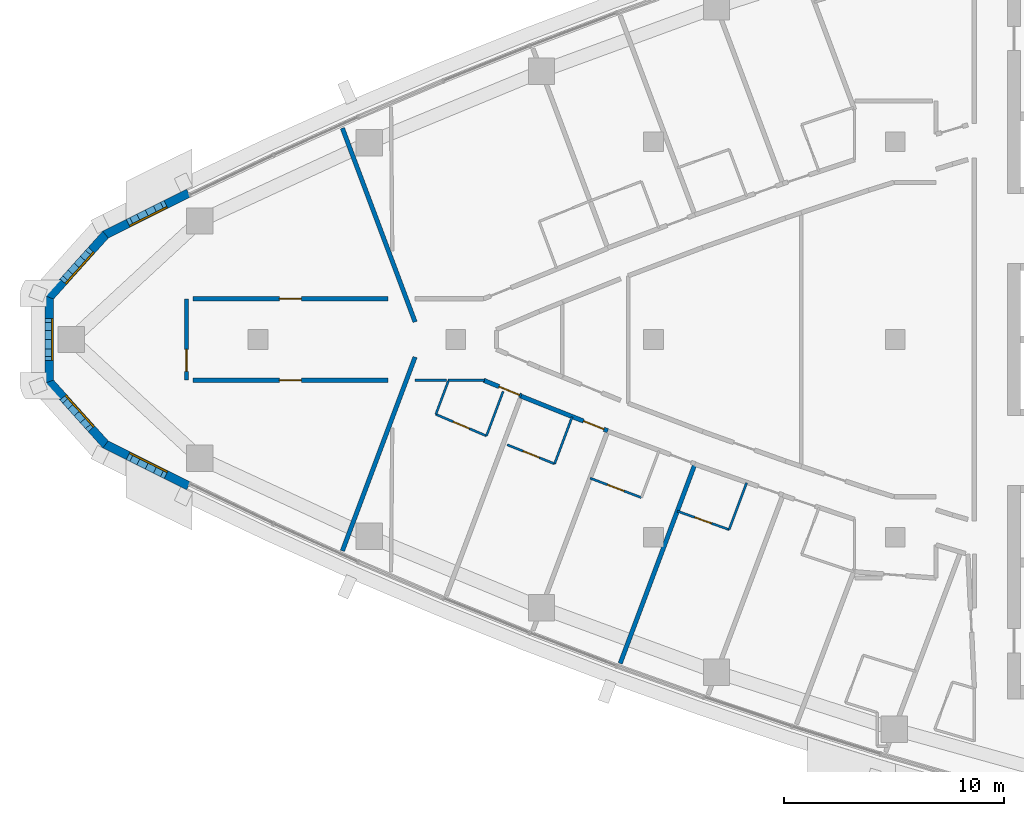
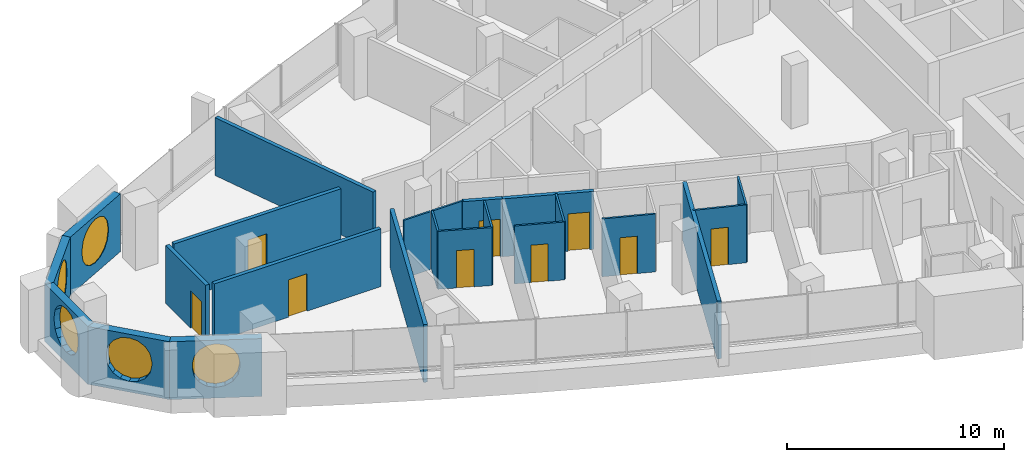
# One storey, part 8 of 16: 23 walls, 9 doors, 5 windows, 14 openings.
"""IFC4 building model written with IfcOpenShell, lengths in metres."""

from ifc_helpers import new_model, si_unit, direction, frame, frame_2d, origin, place, context, subcontext, project, spatial, polyline, rectangle, outline, extrude, material, layer, layer_set, type_object, element, fill, save


model = new_model("IFC4")

# Units and contexts
model_context = context("Model", 3, precision=1e-05, world=origin(), true_north=direction((0.0, 1.0)))
body_context = subcontext(model_context, "Body", "Model", "MODEL_VIEW")
ifc_project = project(units=[si_unit("LENGTHUNIT", "METRE"), si_unit("AREAUNIT", "SQUARE_METRE"), si_unit("VOLUMEUNIT", "CUBIC_METRE"), si_unit("PLANEANGLEUNIT", "RADIAN"), si_unit("MASSUNIT", "GRAM", prefix="KILO")], contexts=[model_context])

# Site, building, storey
site_placement = place(None, origin())
site = spatial("IfcSite", under=ifc_project, at=site_placement, CompositionType="ELEMENT")
building_placement = place(site_placement, origin())
building = spatial("IfcBuilding", under=site, at=building_placement, Name="Ostrand Prow Hotel Tower", CompositionType="ELEMENT")
storey_placement = place(building_placement, frame((0.0, 0.0, 249.199951171875)))
storey = spatial("IfcBuildingStorey", under=building, at=storey_placement, Name="L63", CompositionType="ELEMENT", Elevation=249.199951171875)

# Walls
ifc_material_1 = material(Name="Plasterboard partition")
ifc_layer_1 = layer(ifc_material_1, 0.10009765625)
ifc_layer_set_1 = layer_set([ifc_layer_1], Name="Plasterboard partition")
wall_type_1 = type_object("IfcWallType", Name="Partition 100 bathroom wall", PredefinedType="PARTITIONING", material=ifc_layer_set_1)
wall_1_placement = place(storey_placement, frame((24.09619140625, -3.403564453125, 0.0), z_axis=(0.0, 0.0, 1.0), x_axis=(0.351156192753, 0.936316895229, 0.0)))
element("IfcWall", 1, at=wall_1_placement, inside=storey, type_object=wall_type_1, Name="BATHROOM WALL", PredefinedType="PARTITIONING", context=body_context, shape_type="SweptSolid", body=[
    extrude(rectangle(XDim=1.6337890625, YDim=0.10009765625, at=frame_2d((0.81689453125, 0.0))), origin(), (0.0, 0.0, 1.0), 3.25),
])
wall_2_placement = place(storey_placement, frame((27.15625, -2.36328125, 0.0), z_axis=(0.0, 0.0, 1.0), x_axis=(-0.351086267198, -0.936343117124, 0.0)))
element("IfcWall", 2, at=wall_2_placement, inside=storey, type_object=wall_type_1, Name="BATHROOM WALL", PredefinedType="PARTITIONING", context=body_context, shape_type="SweptSolid", body=[
    extrude(rectangle(XDim=2.1591796875, YDim=0.10009765625, at=frame_2d((1.07958984375, 0.0))), origin(), (0.0, 0.0, 1.0), 3.25),
])

# Wall, opening, door
wall_3_placement = place(storey_placement, frame((26.39794921875, -4.385009765625, 0.0), z_axis=(0.0, 0.0, 1.0), x_axis=(-0.919870178563, 0.392222965404, 0.0)))
wall_3 = element("IfcWall", 3, at=wall_3_placement, inside=storey, type_object=wall_type_1, Name="BATHROOM WALL", PredefinedType="PARTITIONING", context=body_context, shape_type="SweptSolid", body=[
    extrude(rectangle(XDim=2.502197265625, YDim=0.10009765625, at=frame_2d((1.2509765625, 0.0))), origin(), (0.0, 0.0, 1.0), 3.25),
])
opening_1_placement = place(wall_3_placement, frame((0.85009765625, 0.0, 0.0)))
opening_1 = element("IfcOpeningElement", 4, at=opening_1_placement, cuts=wall_3, Name="Opening D2", PredefinedType="OPENING", context=body_context, shape_type="SweptSolid", body=[
    extrude(rectangle(XDim=0.800048828125, YDim=2.10009765625, at=frame_2d((0.39990234375, 1.050048828125))), frame((0.0, 0.06005859375, 0.0), z_axis=(0.0, -1.0, 0.0), x_axis=(1.0, 0.0, 0.0)), (0.0, 0.0, 1.0), 0.1201171875),
])
ifc_material_2 = material(Name="Timber door leaf", Category="wood")
door_type_1 = type_object("IfcDoorType", Name="Bathroom door 800", OperationType="SINGLE_SWING_LEFT", PredefinedType="DOOR", material=ifc_material_2)
door_1_placement = place(opening_1_placement, origin())
door_1 = element("IfcDoor", 5, at=door_1_placement, inside=storey, type_object=door_type_1, Name="DOOR", OperationType="SINGLE_SWING_LEFT", OverallHeight=2.10009765625, OverallWidth=0.800048828125, PredefinedType="DOOR", context=body_context, shape_type="SweptSolid", body=[
    extrude(rectangle(XDim=0.800048828125, YDim=2.10009765625, at=frame_2d((0.39990234375, 1.050048828125))), frame((0.0, 0.02490234375, 0.0), z_axis=(0.0, -1.0, 0.0), x_axis=(1.0, 0.0, 0.0)), (0.0, 0.0, 1.0), 0.050048828125),
])
fill(opening_1, door_1)

# Wall
wall_4_placement = place(storey_placement, frame((30.29638671875, -3.5224609375, 0.0), z_axis=(0.0, 0.0, 1.0), x_axis=(-0.351099944253, -0.936337988734, 0.0)))
element("IfcWall", 6, at=wall_4_placement, inside=storey, type_object=wall_type_1, Name="BATHROOM WALL", PredefinedType="PARTITIONING", context=body_context, shape_type="SweptSolid", body=[
    extrude(rectangle(XDim=2.27734375, YDim=0.10009765625, at=frame_2d((1.138671875, 0.0))), origin(), (0.0, 0.0, 1.0), 3.25),
])

# Wall, opening, door
wall_5_placement = place(storey_placement, frame((29.496826171875, -5.65478515625, 0.0), z_axis=(0.0, 0.0, 1.0), x_axis=(-0.927619412923, 0.373526739028, 0.0)))
wall_5 = element("IfcWall", 7, at=wall_5_placement, inside=storey, type_object=wall_type_1, Name="BATHROOM WALL", PredefinedType="PARTITIONING", context=body_context, shape_type="SweptSolid", body=[
    extrude(rectangle(XDim=2.32421875, YDim=0.10009765625, at=frame_2d((1.162109375, 0.0))), origin(), (0.0, 0.0, 1.0), 3.25),
])
opening_2_placement = place(wall_5_placement, frame((0.75, 0.0, 0.0)))
opening_2 = element("IfcOpeningElement", 8, at=opening_2_placement, cuts=wall_5, Name="Opening D2", PredefinedType="OPENING", context=body_context, shape_type="SweptSolid", body=[
    extrude(rectangle(XDim=0.800048828125, YDim=2.10009765625, at=frame_2d((0.39990234375, 1.050048828125))), frame((0.0, 0.06005859375, 0.0), z_axis=(0.0, -1.0, 0.0), x_axis=(1.0, 0.0, 0.0)), (0.0, 0.0, 1.0), 0.1201171875),
])
door_2_placement = place(opening_2_placement, origin())
door_2 = element("IfcDoor", 9, at=door_2_placement, inside=storey, type_object=door_type_1, Name="DOOR", OperationType="SINGLE_SWING_LEFT", OverallHeight=2.10009765625, OverallWidth=0.800048828125, PredefinedType="DOOR", context=body_context, shape_type="SweptSolid", body=[
    extrude(rectangle(XDim=0.800048828125, YDim=2.10009765625, at=frame_2d((0.39990234375, 1.050048828125))), frame((0.0, 0.02490234375, 0.0), z_axis=(0.0, -1.0, 0.0), x_axis=(1.0, 0.0, 0.0)), (0.0, 0.0, 1.0), 0.050048828125),
])
fill(opening_2, door_2)

wall_6_placement = place(storey_placement, frame((33.44970703125, -7.192626953125, 0.0), z_axis=(0.0, 0.0, 1.0), x_axis=(-0.93495051617, 0.354778145202, 0.0)))
wall_6 = element("IfcWall", 10, at=wall_6_placement, inside=storey, type_object=wall_type_1, Name="BATHROOM WALL", PredefinedType="PARTITIONING", context=body_context, shape_type="SweptSolid", body=[
    extrude(rectangle(XDim=2.49462890625, YDim=0.10009765625, at=frame_2d((1.247314453125, 0.0))), origin(), (0.0, 0.0, 1.0), 3.25),
])
opening_3_placement = place(wall_6_placement, frame((0.85009765625, 0.0, 0.0)))
opening_3 = element("IfcOpeningElement", 11, at=opening_3_placement, cuts=wall_6, Name="Opening D2", PredefinedType="OPENING", context=body_context, shape_type="SweptSolid", body=[
    extrude(rectangle(XDim=0.800048828125, YDim=2.10009765625, at=frame_2d((0.39990234375, 1.050048828125))), frame((0.0, 0.06005859375, 0.0), z_axis=(0.0, -1.0, 0.0), x_axis=(1.0, 0.0, 0.0)), (0.0, 0.0, 1.0), 0.1201171875),
])
door_3_placement = place(opening_3_placement, origin())
door_3 = element("IfcDoor", 12, at=door_3_placement, inside=storey, type_object=door_type_1, Name="DOOR", OperationType="SINGLE_SWING_LEFT", OverallHeight=2.10009765625, OverallWidth=0.800048828125, PredefinedType="DOOR", context=body_context, shape_type="SweptSolid", body=[
    extrude(rectangle(XDim=0.800048828125, YDim=2.10009765625, at=frame_2d((0.39990234375, 1.050048828125))), frame((0.0, 0.02490234375, 0.0), z_axis=(0.0, -1.0, 0.0), x_axis=(1.0, 0.0, 0.0)), (0.0, 0.0, 1.0), 0.050048828125),
])
fill(opening_3, door_3)

# Wall
wall_7_placement = place(storey_placement, frame((38.236083984375, -6.515625, 0.0), z_axis=(0.0, 0.0, 1.0), x_axis=(-0.351229183496, -0.936289517543, 0.0)))
element("IfcWall", 13, at=wall_7_placement, inside=storey, type_object=wall_type_1, Name="BATHROOM WALL", PredefinedType="PARTITIONING", context=body_context, shape_type="SweptSolid", body=[
    extrude(rectangle(XDim=2.277099609375, YDim=0.10009765625, at=frame_2d((1.138671875, 0.0))), origin(), (0.0, 0.0, 1.0), 3.25),
])

# Wall, opening, door
wall_8_placement = place(storey_placement, frame((37.436279296875, -8.64794921875, 0.0), z_axis=(0.0, 0.0, 1.0), x_axis=(-0.941896455552, 0.335903359641, 0.0)))
wall_8 = element("IfcWall", 14, at=wall_8_placement, inside=storey, type_object=wall_type_1, Name="BATHROOM WALL", PredefinedType="PARTITIONING", context=body_context, shape_type="SweptSolid", body=[
    extrude(rectangle(XDim=2.500244140625, YDim=0.10009765625, at=frame_2d((1.25, 0.0))), origin(), (0.0, 0.0, 1.0), 3.25),
])
opening_4_placement = place(wall_8_placement, frame((0.85009765625, 0.0, 0.0)))
opening_4 = element("IfcOpeningElement", 15, at=opening_4_placement, cuts=wall_8, Name="Opening D2", PredefinedType="OPENING", context=body_context, shape_type="SweptSolid", body=[
    extrude(rectangle(XDim=0.800048828125, YDim=2.10009765625, at=frame_2d((0.39990234375, 1.050048828125))), frame((0.0, 0.06005859375, 0.0), z_axis=(0.0, -1.0, 0.0), x_axis=(1.0, 0.0, 0.0)), (0.0, 0.0, 1.0), 0.1201171875),
])
door_4_placement = place(opening_4_placement, origin())
door_4 = element("IfcDoor", 16, at=door_4_placement, inside=storey, type_object=door_type_1, Name="DOOR", OperationType="SINGLE_SWING_LEFT", OverallHeight=2.10009765625, OverallWidth=0.800048828125, PredefinedType="DOOR", context=body_context, shape_type="SweptSolid", body=[
    extrude(rectangle(XDim=0.800048828125, YDim=2.10009765625, at=frame_2d((0.39990234375, 1.050048828125))), frame((0.0, 0.02490234375, 0.0), z_axis=(0.0, -1.0, 0.0), x_axis=(1.0, 0.0, 0.0)), (0.0, 0.0, 1.0), 0.050048828125),
])
fill(opening_4, door_4)

# Walls
wall_9_placement = place(storey_placement, frame((24.64697265625, -1.85498046875, 0.0), z_axis=(0.0, 0.0, 1.0), x_axis=(1.0, 0.0, 0.0)))
element("IfcWall", 17, at=wall_9_placement, inside=storey, type_object=wall_type_1, Name="BATHROOM WALL", PredefinedType="PARTITIONING", context=body_context, shape_type="SweptSolid", body=[
    extrude(rectangle(XDim=1.6689453125, YDim=0.10009765625, at=frame_2d((0.83447265625, 0.0))), origin(), (0.0, 0.0, 1.0), 3.25),
])
wall_10_placement = place(storey_placement, frame((24.572021484375, -1.85009765625, 0.0), z_axis=(0.0, 0.0, 1.0), x_axis=(-1.0, 0.0, 0.0)))
element("IfcWall", 18, at=wall_10_placement, inside=storey, type_object=wall_type_1, Name="BATHROOM WALL", PredefinedType="PARTITIONING", context=body_context, shape_type="SweptSolid", body=[
    extrude(rectangle(XDim=1.422119140625, YDim=0.10009765625, at=frame_2d((0.7109375, 0.0))), origin(), (0.0, 0.0, 1.0), 3.25),
])

# Wall, opening, door
ifc_material_3 = material(Name="Plasterboard partition")
ifc_layer_2 = layer(ifc_material_3, 0.199951171875)
ifc_layer_set_2 = layer_set([ifc_layer_2], Name="Plasterboard partition")
wall_type_2 = type_object("IfcWallType", Name="Partition 200 corridor wall", PredefinedType="PARTITIONING", material=ifc_layer_set_2)
wall_11_placement = place(storey_placement, frame((13.051513671875, 1.85009765625, 0.0), z_axis=(0.0, 0.0, 1.0), x_axis=(1.0, 0.0, 0.0)))
wall_11 = element("IfcWall", 19, at=wall_11_placement, inside=storey, type_object=wall_type_2, Name="CORRIDOR WALL", PredefinedType="PARTITIONING", context=body_context, shape_type="SweptSolid", body=[
    extrude(rectangle(XDim=8.86083984375, YDim=0.199951171875, at=frame_2d((4.430419921875, 0.0))), origin(), (0.0, 0.0, 1.0), 3.25),
])
opening_5_placement = place(wall_11_placement, frame((3.930419921875, 0.0, 0.0)))
opening_5 = element("IfcOpeningElement", 20, at=opening_5_placement, cuts=wall_11, Name="Opening D1", PredefinedType="OPENING", context=body_context, shape_type="SweptSolid", body=[
    extrude(rectangle(XDim=1.0, YDim=2.10009765625, at=frame_2d((0.5, 1.050048828125))), frame((0.0, 0.10986328125, 0.0), z_axis=(0.0, -1.0, 0.0), x_axis=(1.0, 0.0, 0.0)), (0.0, 0.0, 1.0), 0.219970703125),
])
ifc_material_4 = material(Name="Timber door leaf", Category="wood")
door_type_2 = type_object("IfcDoorType", Name="Guest room door 1000", OperationType="SINGLE_SWING_LEFT", PredefinedType="DOOR", material=ifc_material_4)
door_5_placement = place(opening_5_placement, origin())
door_5 = element("IfcDoor", 21, at=door_5_placement, inside=storey, type_object=door_type_2, Name="DOOR", OperationType="SINGLE_SWING_LEFT", OverallHeight=2.10009765625, OverallWidth=1.0, PredefinedType="DOOR", context=body_context, shape_type="SweptSolid", body=[
    extrude(rectangle(XDim=1.0, YDim=2.10009765625, at=frame_2d((0.5, 1.050048828125))), frame((0.0, 0.02490234375, 0.0), z_axis=(0.0, -1.0, 0.0), x_axis=(1.0, 0.0, 0.0)), (0.0, 0.0, 1.0), 0.050048828125),
])
fill(opening_5, door_5)

wall_12_placement = place(storey_placement, frame((13.051513671875, -1.85009765625, 0.0), z_axis=(0.0, 0.0, 1.0), x_axis=(1.0, 0.0, 0.0)))
wall_12 = element("IfcWall", 22, at=wall_12_placement, inside=storey, type_object=wall_type_2, Name="CORRIDOR WALL", PredefinedType="PARTITIONING", context=body_context, shape_type="SweptSolid", body=[
    extrude(rectangle(XDim=8.86083984375, YDim=0.199951171875, at=frame_2d((4.430419921875, 0.0))), origin(), (0.0, 0.0, 1.0), 3.25),
])
opening_6_placement = place(wall_12_placement, frame((3.930419921875, 0.0, 0.0)))
opening_6 = element("IfcOpeningElement", 23, at=opening_6_placement, cuts=wall_12, Name="Opening D1R", PredefinedType="OPENING", context=body_context, shape_type="SweptSolid", body=[
    extrude(rectangle(XDim=1.0, YDim=2.10009765625, at=frame_2d((0.5, 1.050048828125))), frame((0.0, 0.10986328125, 0.0), z_axis=(0.0, -1.0, 0.0), x_axis=(1.0, 0.0, 0.0)), (0.0, 0.0, 1.0), 0.219970703125),
])
ifc_material_5 = material(Name="Timber door leaf", Category="wood")
door_type_3 = type_object("IfcDoorType", Name="Guest room door 1000 right", OperationType="SINGLE_SWING_RIGHT", PredefinedType="DOOR", material=ifc_material_5)
door_6_placement = place(opening_6_placement, origin())
door_6 = element("IfcDoor", 24, at=door_6_placement, inside=storey, type_object=door_type_3, Name="DOOR", OperationType="SINGLE_SWING_RIGHT", OverallHeight=2.10009765625, OverallWidth=1.0, PredefinedType="DOOR", context=body_context, shape_type="SweptSolid", body=[
    extrude(rectangle(XDim=1.0, YDim=2.10009765625, at=frame_2d((0.5, 1.050048828125))), frame((0.0, 0.02490234375, 0.0), z_axis=(0.0, -1.0, 0.0), x_axis=(1.0, 0.0, 0.0)), (0.0, 0.0, 1.0), 0.050048828125),
])
fill(opening_6, door_6)

wall_13_placement = place(storey_placement, frame((26.265869140625, -1.85009765625, 0.0), z_axis=(0.0, 0.0, 1.0), x_axis=(0.924055156704, -0.382259162569, 0.0)))
wall_13 = element("IfcWall", 25, at=wall_13_placement, inside=storey, type_object=wall_type_2, Name="CORRIDOR WALL", PredefinedType="PARTITIONING", context=body_context, shape_type="SweptSolid", body=[
    extrude(rectangle(XDim=1.8623046875, YDim=0.199951171875, at=frame_2d((0.93115234375, 0.0))), origin(), (0.0, 0.0, 1.0), 3.25),
])
opening_7_placement = place(wall_13_placement, frame((0.76220703125, 0.0, 0.0)))
opening_7 = element("IfcOpeningElement", 26, at=opening_7_placement, cuts=wall_13, Name="Opening D1", PredefinedType="OPENING", context=body_context, shape_type="SweptSolid", body=[
    extrude(rectangle(XDim=1.0, YDim=2.10009765625, at=frame_2d((0.5, 1.050048828125))), frame((0.0, 0.10986328125, 0.0), z_axis=(0.0, -1.0, 0.0), x_axis=(1.0, 0.0, 0.0)), (0.0, 0.0, 1.0), 0.219970703125),
])
door_7_placement = place(opening_7_placement, origin())
door_7 = element("IfcDoor", 27, at=door_7_placement, inside=storey, type_object=door_type_2, Name="DOOR", OperationType="SINGLE_SWING_LEFT", OverallHeight=2.10009765625, OverallWidth=1.0, PredefinedType="DOOR", context=body_context, shape_type="SweptSolid", body=[
    extrude(rectangle(XDim=1.0, YDim=2.10009765625, at=frame_2d((0.5, 1.050048828125))), frame((0.0, 0.02490234375, 0.0), z_axis=(0.0, -1.0, 0.0), x_axis=(1.0, 0.0, 0.0)), (0.0, 0.0, 1.0), 0.050048828125),
])
fill(opening_7, door_7)

wall_14_placement = place(storey_placement, frame((27.979736328125, -2.58056640625, 0.0), z_axis=(0.0, 0.0, 1.0), x_axis=(0.928920552813, -0.370279092795, 0.0)))
wall_14 = element("IfcWall", 28, at=wall_14_placement, inside=storey, type_object=wall_type_2, Name="CORRIDOR WALL", PredefinedType="PARTITIONING", context=body_context, shape_type="SweptSolid", body=[
    extrude(rectangle(XDim=4.2421875, YDim=0.199951171875, at=frame_2d((2.12109375, 0.0))), origin(), (0.0, 0.0, 1.0), 3.25),
])
opening_8_placement = place(wall_14_placement, frame((3.050048828125, 0.0, 0.0)))
opening_8 = element("IfcOpeningElement", 29, at=opening_8_placement, cuts=wall_14, Name="Opening D1", PredefinedType="OPENING", context=body_context, shape_type="SweptSolid", body=[
    extrude(rectangle(XDim=1.0, YDim=2.10009765625, at=frame_2d((0.5, 1.050048828125))), frame((0.0, 0.10986328125, 0.0), z_axis=(0.0, -1.0, 0.0), x_axis=(1.0, 0.0, 0.0)), (0.0, 0.0, 1.0), 0.219970703125),
])
door_8_placement = place(opening_8_placement, origin())
door_8 = element("IfcDoor", 30, at=door_8_placement, inside=storey, type_object=door_type_2, Name="DOOR", OperationType="SINGLE_SWING_LEFT", OverallHeight=2.10009765625, OverallWidth=1.0, PredefinedType="DOOR", context=body_context, shape_type="SweptSolid", body=[
    extrude(rectangle(XDim=1.0, YDim=2.10009765625, at=frame_2d((0.5, 1.050048828125))), frame((0.0, 0.02490234375, 0.0), z_axis=(0.0, -1.0, 0.0), x_axis=(1.0, 0.0, 0.0)), (0.0, 0.0, 1.0), 0.050048828125),
])
fill(opening_8, door_8)

# Walls
ifc_material_6 = material(Name="Plasterboard partition")
ifc_layer_3 = layer(ifc_material_6, 0.199951171875)
ifc_layer_set_3 = layer_set([ifc_layer_3], Name="Plasterboard partition")
wall_type_3 = type_object("IfcWallType", Name="Partition 200 key partition", PredefinedType="PARTITIONING", material=ifc_layer_set_3)
for number, where, z_axis, x_axis, name in (
    (31, (23.14990234375, 0.800048828125, 0.0), (0.0, 0.0, 1.0), (-0.351123441588, 0.936329177569, 0.0), "KEY PARTITION"),
    (32, (19.84375, -9.616455078125, 0.0), (0.0, 0.0, 1.0), (0.351123441588, 0.936329177569, 0.0), "KEY PARTITION"),
):
    element("IfcWall", number, at=place(storey_placement, frame(where, z_axis=z_axis, x_axis=x_axis)), inside=storey, type_object=wall_type_3, Name=name, PredefinedType="PARTITIONING", context=body_context, shape_type="SweptSolid", body=[
        extrude(rectangle(XDim=9.416015625, YDim=0.199951171875, at=frame_2d((4.7080078125, 0.0))), origin(), (0.0, 0.0, 1.0), 3.25),
    ])
wall_15_placement = place(storey_placement, frame((32.482666015625, -14.73779296875, 0.0), z_axis=(0.0, 0.0, 1.0), x_axis=(0.351117925717, 0.936331246002, 0.0)))
element("IfcWall", 33, at=wall_15_placement, inside=storey, type_object=wall_type_3, Name="KEY PARTITION", PredefinedType="PARTITIONING", context=body_context, shape_type="SweptSolid", body=[
    extrude(rectangle(XDim=9.701171875, YDim=0.199951171875, at=frame_2d((4.8505859375, 0.0))), origin(), (0.0, 0.0, 1.0), 3.25),
])

# Wall, opening, door
ifc_material_7 = material(Name="Plasterboard partition")
ifc_layer_4 = layer(ifc_material_7, 0.199951171875)
ifc_layer_set_4 = layer_set([ifc_layer_4], Name="Plasterboard partition")
wall_type_4 = type_object("IfcWallType", Name="Partition 200 lounge wall", PredefinedType="PARTITIONING", material=ifc_layer_set_4)
wall_16_placement = place(storey_placement, frame((12.75146484375, -1.85009765625, 0.0), z_axis=(0.0, 0.0, 1.0), x_axis=(0.0, 1.0, 0.0)))
wall_16 = element("IfcWall", 34, at=wall_16_placement, inside=storey, type_object=wall_type_4, Name="LOUNGE WALL", PredefinedType="PARTITIONING", context=body_context, shape_type="SweptSolid", body=[
    extrude(rectangle(XDim=3.7001953125, YDim=0.199951171875, at=frame_2d((1.85009765625, 0.0))), origin(), (0.0, 0.0, 1.0), 3.25),
])
opening_9_placement = place(wall_16_placement, frame((0.39990234375, 0.0, 0.0)))
opening_9 = element("IfcOpeningElement", 35, at=opening_9_placement, cuts=wall_16, Name="Opening D1", PredefinedType="OPENING", context=body_context, shape_type="SweptSolid", body=[
    extrude(rectangle(XDim=1.0, YDim=2.10009765625, at=frame_2d((0.5, 1.050048828125))), frame((0.0, 0.10986328125, 0.0), z_axis=(0.0, -1.0, 0.0), x_axis=(1.0, 0.0, 0.0)), (0.0, 0.0, 1.0), 0.219970703125),
])
door_9_placement = place(opening_9_placement, origin())
door_9 = element("IfcDoor", 36, at=door_9_placement, inside=storey, type_object=door_type_2, Name="DOOR", OperationType="SINGLE_SWING_LEFT", OverallHeight=2.10009765625, OverallWidth=1.0, PredefinedType="DOOR", context=body_context, shape_type="SweptSolid", body=[
    extrude(rectangle(XDim=1.0, YDim=2.10009765625, at=frame_2d((0.5, 1.050048828125))), frame((0.0, 0.02490234375, 0.0), z_axis=(0.0, -1.0, 0.0), x_axis=(1.0, 0.0, 0.0)), (0.0, 0.0, 1.0), 0.050048828125),
])
fill(opening_9, door_9)

# Wall, opening, window
ifc_material_8 = material(Name="Precast concrete C40/50", Category="concrete")
ifc_layer_5 = layer(ifc_material_8, 0.39990234375)
ifc_layer_set_5 = layer_set([ifc_layer_5], Name="Precast concrete C40/50")
wall_type_5 = type_object("IfcWallType", Name="Stone-faced precast wall 400 mm", PredefinedType="NOTDEFINED", material=ifc_layer_set_5)
wall_17_placement = place(storey_placement, frame((12.849365234375, 6.66064453125, 0.0), z_axis=(0.0, 0.0, 1.0), x_axis=(-0.894554263274, -0.446959360634, 0.0)))
wall_17 = element("IfcWall", 37, at=wall_17_placement, inside=storey, type_object=wall_type_5, Name="Stone-faced wall prow 1", PredefinedType="NOTDEFINED", context=body_context, shape_type="SweptSolid", body=[
    extrude(outline(polyline([(0.0, -0.199951171875), (4.263671875, -0.199951171875), (4.1875, 0.199951171875), (0.0, 0.199951171875), (0.0, -0.199951171875)])), origin(), (0.0, 0.0, 1.0), 3.25),
])
opening_10_placement = place(wall_17_placement, frame((1.012939453125, 0.0, 0.60009765625)))
opening_10 = element("IfcOpeningElement", 38, at=opening_10_placement, cuts=wall_17, Name="Opening WP1", PredefinedType="OPENING", context=body_context, shape_type="SweptSolid", body=[
    extrude(outline(polyline([(0.0, 1.35009765625), (0.083740234375, 1.77099609375), (0.322265625, 2.127685546875), (0.678955078125, 2.3662109375), (1.10009765625, 2.449951171875), (1.52099609375, 2.3662109375), (1.877685546875, 2.127685546875), (2.1162109375, 1.77099609375), (2.199951171875, 1.35009765625), (2.199951171875, 1.10009765625), (2.1162109375, 0.678955078125), (1.877685546875, 0.322265625), (1.52099609375, 0.083740234375), (1.10009765625, 0.0), (0.678955078125, 0.083740234375), (0.322265625, 0.322265625), (0.083740234375, 0.678955078125), (0.0, 1.099853515625), (0.0, 1.35009765625)])), frame((0.0, 0.2099609375, 0.0), z_axis=(0.0, -1.0, 0.0), x_axis=(1.0, 0.0, 0.0)), (0.0, 0.0, 1.0), 0.419921875),
])
ifc_material_9 = material(Name="Insulated glass in bronze frame", Category="glass")
window_type = type_object("IfcWindowType", Name="Round-ended prow window 2200x2450", PartitioningType="SINGLE_PANEL", PredefinedType="WINDOW", material=ifc_material_9)
window_1_placement = place(opening_10_placement, origin())
window_1 = element("IfcWindow", 39, at=window_1_placement, inside=storey, type_object=window_type, Name="Window prow 1.1", OverallHeight=2.449951171875, OverallWidth=2.199951171875, PartitioningType="SINGLE_PANEL", PredefinedType="WINDOW", context=body_context, shape_type="SweptSolid", body=[
    extrude(outline(polyline([(0.0, 1.35009765625), (0.083740234375, 1.77099609375), (0.322265625, 2.127685546875), (0.678955078125, 2.3662109375), (1.10009765625, 2.449951171875), (1.52099609375, 2.3662109375), (1.877685546875, 2.127685546875), (2.1162109375, 1.77099609375), (2.199951171875, 1.35009765625), (2.199951171875, 1.10009765625), (2.1162109375, 0.678955078125), (1.877685546875, 0.322265625), (1.52099609375, 0.083740234375), (1.10009765625, 0.0), (0.678955078125, 0.083740234375), (0.322265625, 0.322265625), (0.083740234375, 0.678955078125), (0.0, 1.099853515625), (0.0, 1.35009765625)])), frame((0.0, 0.169921875, 0.0), z_axis=(0.0, -1.0, 0.0), x_axis=(1.0, 0.0, 0.0)), (0.0, 0.0, 1.0), 0.06005859375),
])
fill(opening_10, window_1)

wall_18_placement = place(storey_placement, frame((9.0693359375, 4.77197265625, 0.0), z_axis=(0.0, 0.0, 1.0), x_axis=(-0.668018215058, -0.744144921605, 0.0)))
wall_18 = element("IfcWall", 40, at=wall_18_placement, inside=storey, type_object=wall_type_5, Name="Stone-faced wall prow 2", PredefinedType="NOTDEFINED", context=body_context, shape_type="SweptSolid", body=[
    extrude(outline(polyline([(-0.0380859375, -0.199951171875), (3.912353515625, -0.199951171875), (3.759033203125, 0.199951171875), (0.0380859375, 0.199951171875), (-0.0380859375, -0.199951171875)])), origin(), (0.0, 0.0, 1.0), 3.25),
])
opening_11_placement = place(wall_18_placement, frame((0.81787109375, 0.0, 0.60009765625)))
opening_11 = element("IfcOpeningElement", 41, at=opening_11_placement, cuts=wall_18, Name="Opening WP1", PredefinedType="OPENING", context=body_context, shape_type="SweptSolid", body=[
    extrude(outline(polyline([(0.0, 1.35009765625), (0.083740234375, 1.77099609375), (0.322265625, 2.127685546875), (0.678955078125, 2.3662109375), (1.10009765625, 2.449951171875), (1.52099609375, 2.3662109375), (1.877685546875, 2.127685546875), (2.1162109375, 1.77099609375), (2.199951171875, 1.35009765625), (2.199951171875, 1.10009765625), (2.1162109375, 0.678955078125), (1.877685546875, 0.322265625), (1.52099609375, 0.083740234375), (1.10009765625, 0.0), (0.678955078125, 0.083740234375), (0.322265625, 0.322265625), (0.083740234375, 0.678955078125), (0.0, 1.099853515625), (0.0, 1.35009765625)])), frame((0.0, 0.2099609375, 0.0), z_axis=(0.0, -1.0, 0.0), x_axis=(1.0, 0.0, 0.0)), (0.0, 0.0, 1.0), 0.419921875),
])
window_2_placement = place(opening_11_placement, origin())
window_2 = element("IfcWindow", 42, at=window_2_placement, inside=storey, type_object=window_type, Name="Window prow 2.1", OverallHeight=2.449951171875, OverallWidth=2.199951171875, PartitioningType="SINGLE_PANEL", PredefinedType="WINDOW", context=body_context, shape_type="SweptSolid", body=[
    extrude(outline(polyline([(0.0, 1.35009765625), (0.083740234375, 1.77099609375), (0.322265625, 2.127685546875), (0.678955078125, 2.3662109375), (1.10009765625, 2.449951171875), (1.52099609375, 2.3662109375), (1.877685546875, 2.127685546875), (2.1162109375, 1.77099609375), (2.199951171875, 1.35009765625), (2.199951171875, 1.10009765625), (2.1162109375, 0.678955078125), (1.877685546875, 0.322265625), (1.52099609375, 0.083740234375), (1.10009765625, 0.0), (0.678955078125, 0.083740234375), (0.322265625, 0.322265625), (0.083740234375, 0.678955078125), (0.0, 1.099853515625), (0.0, 1.35009765625)])), frame((0.0, 0.169921875, 0.0), z_axis=(0.0, -1.0, 0.0), x_axis=(1.0, 0.0, 0.0)), (0.0, 0.0, 1.0), 0.06005859375),
])
fill(opening_11, window_2)

wall_19_placement = place(storey_placement, frame((6.507080078125, 1.917724609375, 0.0), z_axis=(0.0, 0.0, 1.0), x_axis=(0.0, -1.0, 0.0)))
wall_19 = element("IfcWall", 43, at=wall_19_placement, inside=storey, type_object=wall_type_5, Name="Stone-faced wall prow 3", PredefinedType="NOTDEFINED", context=body_context, shape_type="SweptSolid", body=[
    extrude(outline(polyline([(-0.07666015625, -0.199951171875), (3.912109375, -0.199951171875), (3.7587890625, 0.199951171875), (0.07666015625, 0.199951171875), (-0.07666015625, -0.199951171875)])), origin(), (0.0, 0.0, 1.0), 3.25),
])
opening_12_placement = place(wall_19_placement, frame((0.81787109375, 0.0, 0.60009765625)))
opening_12 = element("IfcOpeningElement", 44, at=opening_12_placement, cuts=wall_19, Name="Opening WP1", PredefinedType="OPENING", context=body_context, shape_type="SweptSolid", body=[
    extrude(outline(polyline([(0.0, 1.35009765625), (0.083740234375, 1.77099609375), (0.322265625, 2.127685546875), (0.678955078125, 2.3662109375), (1.10009765625, 2.449951171875), (1.52099609375, 2.3662109375), (1.877685546875, 2.127685546875), (2.1162109375, 1.77099609375), (2.199951171875, 1.35009765625), (2.199951171875, 1.10009765625), (2.1162109375, 0.678955078125), (1.877685546875, 0.322265625), (1.52099609375, 0.083740234375), (1.10009765625, 0.0), (0.678955078125, 0.083740234375), (0.322265625, 0.322265625), (0.083740234375, 0.678955078125), (0.0, 1.099853515625), (0.0, 1.35009765625)])), frame((0.0, 0.2099609375, 0.0), z_axis=(0.0, -1.0, 0.0), x_axis=(1.0, 0.0, 0.0)), (0.0, 0.0, 1.0), 0.419921875),
])
window_3_placement = place(opening_12_placement, origin())
window_3 = element("IfcWindow", 45, at=window_3_placement, inside=storey, type_object=window_type, Name="Window prow 3.1", OverallHeight=2.449951171875, OverallWidth=2.199951171875, PartitioningType="SINGLE_PANEL", PredefinedType="WINDOW", context=body_context, shape_type="SweptSolid", body=[
    extrude(outline(polyline([(0.0, 1.35009765625), (0.083740234375, 1.77099609375), (0.322265625, 2.127685546875), (0.678955078125, 2.3662109375), (1.10009765625, 2.449951171875), (1.52099609375, 2.3662109375), (1.877685546875, 2.127685546875), (2.1162109375, 1.77099609375), (2.199951171875, 1.35009765625), (2.199951171875, 1.10009765625), (2.1162109375, 0.678955078125), (1.877685546875, 0.322265625), (1.52099609375, 0.083740234375), (1.10009765625, 0.0), (0.678955078125, 0.083740234375), (0.322265625, 0.322265625), (0.083740234375, 0.678955078125), (0.0, 1.099853515625), (0.0, 1.35009765625)])), frame((0.0, 0.169921875, 0.0), z_axis=(0.0, -1.0, 0.0), x_axis=(1.0, 0.0, 0.0)), (0.0, 0.0, 1.0), 0.06005859375),
])
fill(opening_12, window_3)

wall_20_placement = place(storey_placement, frame((6.507080078125, -1.917724609375, 0.0), z_axis=(0.0, 0.0, 1.0), x_axis=(0.668018215058, -0.744144921605, 0.0)))
wall_20 = element("IfcWall", 46, at=wall_20_placement, inside=storey, type_object=wall_type_5, Name="Stone-faced wall prow 4", PredefinedType="NOTDEFINED", context=body_context, shape_type="SweptSolid", body=[
    extrude(outline(polyline([(-0.07666015625, -0.199951171875), (3.873779296875, -0.199951171875), (3.797607421875, 0.199951171875), (0.07666015625, 0.199951171875), (-0.07666015625, -0.199951171875)])), origin(), (0.0, 0.0, 1.0), 3.25),
])
opening_13_placement = place(wall_20_placement, frame((0.81787109375, 0.0, 0.60009765625)))
opening_13 = element("IfcOpeningElement", 47, at=opening_13_placement, cuts=wall_20, Name="Opening WP1", PredefinedType="OPENING", context=body_context, shape_type="SweptSolid", body=[
    extrude(outline(polyline([(0.0, 1.35009765625), (0.083740234375, 1.77099609375), (0.322265625, 2.127685546875), (0.678955078125, 2.3662109375), (1.10009765625, 2.449951171875), (1.52099609375, 2.3662109375), (1.877685546875, 2.127685546875), (2.1162109375, 1.77099609375), (2.199951171875, 1.35009765625), (2.199951171875, 1.10009765625), (2.1162109375, 0.678955078125), (1.877685546875, 0.322265625), (1.52099609375, 0.083740234375), (1.10009765625, 0.0), (0.678955078125, 0.083740234375), (0.322265625, 0.322265625), (0.083740234375, 0.678955078125), (0.0, 1.099853515625), (0.0, 1.35009765625)])), frame((0.0, 0.2099609375, 0.0), z_axis=(0.0, -1.0, 0.0), x_axis=(1.0, 0.0, 0.0)), (0.0, 0.0, 1.0), 0.419921875),
])
window_4_placement = place(opening_13_placement, origin())
window_4 = element("IfcWindow", 48, at=window_4_placement, inside=storey, type_object=window_type, Name="Window prow 4.1", OverallHeight=2.449951171875, OverallWidth=2.199951171875, PartitioningType="SINGLE_PANEL", PredefinedType="WINDOW", context=body_context, shape_type="SweptSolid", body=[
    extrude(outline(polyline([(0.0, 1.35009765625), (0.083740234375, 1.77099609375), (0.322265625, 2.127685546875), (0.678955078125, 2.3662109375), (1.10009765625, 2.449951171875), (1.52099609375, 2.3662109375), (1.877685546875, 2.127685546875), (2.1162109375, 1.77099609375), (2.199951171875, 1.35009765625), (2.199951171875, 1.10009765625), (2.1162109375, 0.678955078125), (1.877685546875, 0.322265625), (1.52099609375, 0.083740234375), (1.10009765625, 0.0), (0.678955078125, 0.083740234375), (0.322265625, 0.322265625), (0.083740234375, 0.678955078125), (0.0, 1.099853515625), (0.0, 1.35009765625)])), frame((0.0, 0.169921875, 0.0), z_axis=(0.0, -1.0, 0.0), x_axis=(1.0, 0.0, 0.0)), (0.0, 0.0, 1.0), 0.06005859375),
])
fill(opening_13, window_4)

wall_21_placement = place(storey_placement, frame((9.0693359375, -4.77197265625, 0.0), z_axis=(0.0, 0.0, 1.0), x_axis=(0.894554263274, -0.446959360634, 0.0)))
wall_21 = element("IfcWall", 49, at=wall_21_placement, inside=storey, type_object=wall_type_5, Name="Stone-faced wall prow 5", PredefinedType="NOTDEFINED", context=body_context, shape_type="SweptSolid", body=[
    extrude(outline(polyline([(-0.0380859375, -0.199951171875), (4.2255859375, -0.199951171875), (4.2255859375, 0.199951171875), (0.0380859375, 0.199951171875), (-0.0380859375, -0.199951171875)])), origin(), (0.0, 0.0, 1.0), 3.25),
])
opening_14_placement = place(wall_21_placement, frame((1.012939453125, 0.0, 0.60009765625)))
opening_14 = element("IfcOpeningElement", 50, at=opening_14_placement, cuts=wall_21, Name="Opening WP1", PredefinedType="OPENING", context=body_context, shape_type="SweptSolid", body=[
    extrude(outline(polyline([(0.0, 1.35009765625), (0.083740234375, 1.77099609375), (0.322265625, 2.127685546875), (0.678955078125, 2.3662109375), (1.10009765625, 2.449951171875), (1.52099609375, 2.3662109375), (1.877685546875, 2.127685546875), (2.1162109375, 1.77099609375), (2.199951171875, 1.35009765625), (2.199951171875, 1.10009765625), (2.1162109375, 0.678955078125), (1.877685546875, 0.322265625), (1.52099609375, 0.083740234375), (1.10009765625, 0.0), (0.678955078125, 0.083740234375), (0.322265625, 0.322265625), (0.083740234375, 0.678955078125), (0.0, 1.099853515625), (0.0, 1.35009765625)])), frame((0.0, 0.2099609375, 0.0), z_axis=(0.0, -1.0, 0.0), x_axis=(1.0, 0.0, 0.0)), (0.0, 0.0, 1.0), 0.419921875),
])
window_5_placement = place(opening_14_placement, origin())
window_5 = element("IfcWindow", 51, at=window_5_placement, inside=storey, type_object=window_type, Name="Window prow 5.1", OverallHeight=2.449951171875, OverallWidth=2.199951171875, PartitioningType="SINGLE_PANEL", PredefinedType="WINDOW", context=body_context, shape_type="SweptSolid", body=[
    extrude(outline(polyline([(0.0, 1.35009765625), (0.083740234375, 1.77099609375), (0.322265625, 2.127685546875), (0.678955078125, 2.3662109375), (1.10009765625, 2.449951171875), (1.52099609375, 2.3662109375), (1.877685546875, 2.127685546875), (2.1162109375, 1.77099609375), (2.199951171875, 1.35009765625), (2.199951171875, 1.10009765625), (2.1162109375, 0.678955078125), (1.877685546875, 0.322265625), (1.52099609375, 0.083740234375), (1.10009765625, 0.0), (0.678955078125, 0.083740234375), (0.322265625, 0.322265625), (0.083740234375, 0.678955078125), (0.0, 1.099853515625), (0.0, 1.35009765625)])), frame((0.0, 0.169921875, 0.0), z_axis=(0.0, -1.0, 0.0), x_axis=(1.0, 0.0, 0.0)), (0.0, 0.0, 1.0), 0.06005859375),
])
fill(opening_14, window_5)

save(model, "model.ifc")
